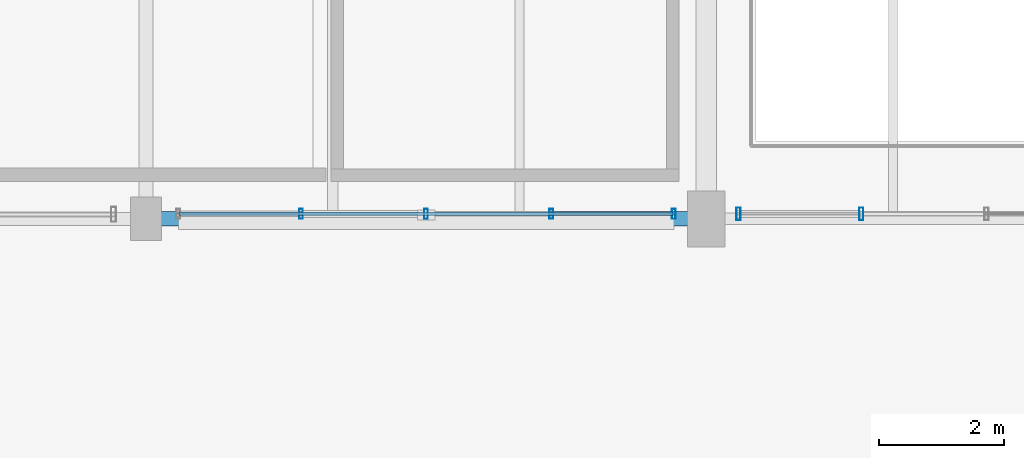
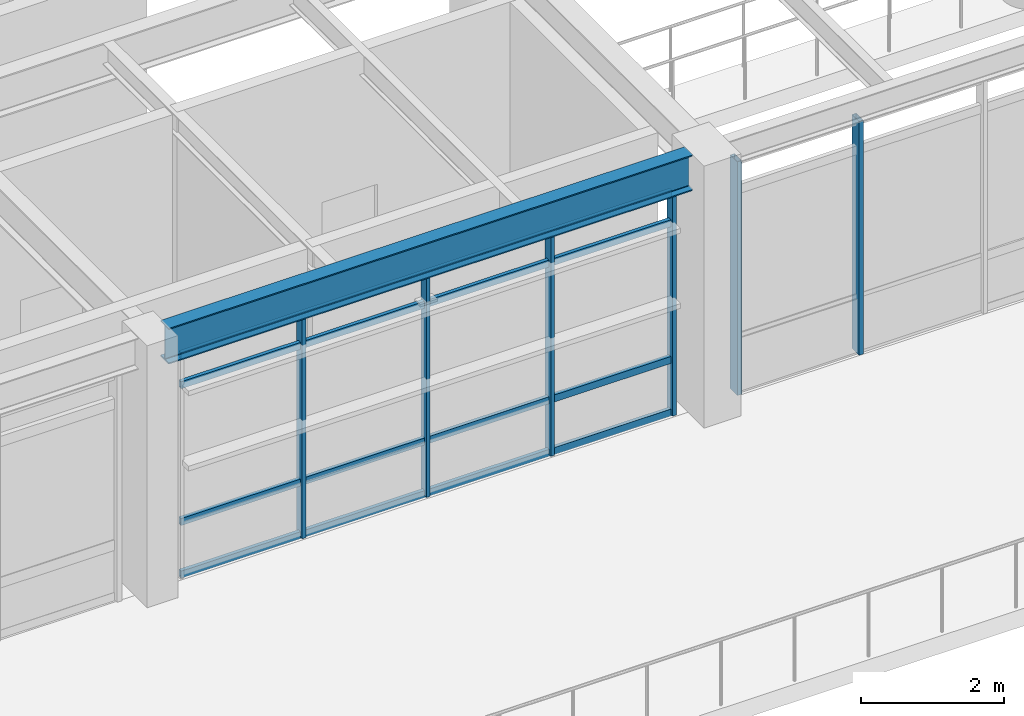
# One storey, part 43 of 200: 10 members, 1 beam, 2 elements without a shape of their own.
"""IFC4 building model written with IfcOpenShell, lengths in metres."""

from ifc_helpers import new_model, si_unit, direction, frame, origin, origin_2d, place, context, subcontext, project, spatial, hollow_rectangle, i_section, extrude, material, material_profile, profile_set, type_object, element, aggregate, save


model = new_model("IFC4")

# Units and contexts
model_context = context("Model", 3, precision=1e-05, world=origin(), true_north=direction((0.0, 1.0)))
body_context = subcontext(model_context, "Body", "Model", "MODEL_VIEW")
ifc_project = project(units=[si_unit("LENGTHUNIT", "METRE"), si_unit("AREAUNIT", "SQUARE_METRE"), si_unit("VOLUMEUNIT", "CUBIC_METRE"), si_unit("PLANEANGLEUNIT", "RADIAN"), si_unit("MASSUNIT", "GRAM", prefix="KILO"), si_unit("THERMODYNAMICTEMPERATUREUNIT", "KELVIN"), si_unit("POWERUNIT", "WATT")], contexts=[model_context])

# Site, building, storey
site_placement = place(None, origin())
site = spatial("IfcSite", under=ifc_project, at=site_placement, CompositionType="ELEMENT")
building_placement = place(site_placement, origin())
building = spatial("IfcBuilding", under=site, at=building_placement, Name="Tepalcoro Natatorium and Aquatics Centre", CompositionType="ELEMENT")
storey_placement = place(building_placement, frame((0.0, 0.0, 5.39990234375)))
storey = spatial("IfcBuildingStorey", under=building, at=storey_placement, Name="L01", CompositionType="ELEMENT", Elevation=5.39990234375)

# Curtain wall, members
ifc_material_1 = material(Name="Bronze-Anodised Extruded Aluminium Alloy EN AW-6063 T6", Category="aluminium")
curtain_wall_type_1 = type_object("IfcCurtainWallType", Name="CW_V4_VILLAGE", PredefinedType="USERDEFINED", material=ifc_material_1)
curtain_wall_1_placement = place(storey_placement, origin())
curtain_wall_1 = element("IfcCurtainWall", 1, at=curtain_wall_1_placement, inside=storey, type_object=curtain_wall_type_1, Name="V1 L01 S Unitised Curtain Wall Bay 3", ObjectType="UNITISED STOREFRONT", PredefinedType="USERDEFINED")
ifc_material_profile_1 = material_profile(ifc_material_1, hollow_rectangle(XDim=0.06005859375, YDim=0.159912109375, WallThickness=0.00390625, at=origin_2d()), Name="AL60X160X4")
ifc_profile_set_1 = profile_set([ifc_material_profile_1], Name="Bronze-Anodised Extruded Aluminium Alloy EN AW-6063 T6")
member_type_1 = type_object("IfcMemberType", Name="CW_MUL_60x160", PredefinedType="MULLION", material=ifc_profile_set_1)
member_1_placement = place(storey_placement, frame((64.489990234375, 6.580078125, 0.02001953125), z_axis=(0.0, 0.0, 1.0), x_axis=(1.0, 0.0, 0.0)))
member_1 = element("IfcMember", 2, at=member_1_placement, type_object=member_type_1, Name="CW_V4_VILLAGE Curtain Wall Mullion", PredefinedType="MULLION", context=body_context, shape_type="SweptSolid", body=[
    extrude(hollow_rectangle(XDim=0.06005859375, YDim=0.159912109375, WallThickness=0.00390625, at=origin_2d()), origin(), (0.0, 0.0, 1.0), 3.798095703125),
])
member_2_placement = place(storey_placement, frame((66.5, 6.580078125, 0.02001953125), z_axis=(0.0, 0.0, 1.0), x_axis=(1.0, 0.0, 0.0)))
member_2 = element("IfcMember", 3, at=member_2_placement, type_object=member_type_1, Name="CW_V4_VILLAGE Curtain Wall Mullion", PredefinedType="MULLION", context=body_context, shape_type="SweptSolid", body=[
    extrude(hollow_rectangle(XDim=0.06005859375, YDim=0.159912109375, WallThickness=0.00390625, at=origin_2d()), origin(), (0.0, 0.0, 1.0), 3.798095703125),
])
member_3_placement = place(storey_placement, frame((68.510009765625, 6.580078125, 0.02001953125), z_axis=(0.0, 0.0, 1.0), x_axis=(1.0, 0.0, 0.0)))
member_3 = element("IfcMember", 4, at=member_3_placement, type_object=member_type_1, Name="CW_V4_VILLAGE Curtain Wall Mullion", PredefinedType="MULLION", context=body_context, shape_type="SweptSolid", body=[
    extrude(hollow_rectangle(XDim=0.06005859375, YDim=0.159912109375, WallThickness=0.00390625, at=origin_2d()), origin(), (0.0, 0.0, 1.0), 3.798095703125),
])
member_4_placement = place(storey_placement, frame((70.47998046875, 6.580078125, 0.02001953125), z_axis=(0.0, 0.0, 1.0), x_axis=(1.0, 0.0, 0.0)))
member_4 = element("IfcMember", 5, at=member_4_placement, type_object=member_type_1, Name="CW_V4_VILLAGE Curtain Wall Mullion", PredefinedType="MULLION", context=body_context, shape_type="SweptSolid", body=[
    extrude(hollow_rectangle(XDim=0.06005859375, YDim=0.159912109375, WallThickness=0.00390625, at=origin_2d()), origin(), (0.0, 0.0, 1.0), 3.798095703125),
])

curtain_wall_type_2 = type_object("IfcCurtainWallType", Name="CW_V5_LOWER", PredefinedType="USERDEFINED", material=ifc_material_1)
curtain_wall_2_placement = place(storey_placement, origin())
curtain_wall_2 = element("IfcCurtainWall", 6, at=curtain_wall_2_placement, inside=storey, type_object=curtain_wall_type_2, Name="V1 L01 S Unitised Curtain Wall Bay 4", ObjectType="UNITISED STOREFRONT", PredefinedType="USERDEFINED")
ifc_material_profile_2 = material_profile(ifc_material_1, hollow_rectangle(XDim=0.070068359375, YDim=0.199951171875, WallThickness=0.0048828125, at=origin_2d()), Name="AL70X200X5")
ifc_profile_set_2 = profile_set([ifc_material_profile_2], Name="Bronze-Anodised Extruded Aluminium Alloy EN AW-6063 T6")
member_type_2 = type_object("IfcMemberType", Name="CW_MUL_70x200", PredefinedType="MULLION", material=ifc_profile_set_2)
member_5_placement = place(storey_placement, frame((71.52001953125, 6.580078125, 0.02001953125), z_axis=(0.0, 0.0, 1.0), x_axis=(1.0, 0.0, 0.0)))
member_5 = element("IfcMember", 7, at=member_5_placement, type_object=member_type_2, Name="CW_V5_LOWER Curtain Wall Mullion", PredefinedType="MULLION", context=body_context, shape_type="SweptSolid", body=[
    extrude(hollow_rectangle(XDim=0.070068359375, YDim=0.199951171875, WallThickness=0.0048828125, at=origin_2d()), origin(), (0.0, 0.0, 1.0), 3.9970703125),
])
member_6_placement = place(storey_placement, frame((73.489990234375, 6.580078125, 0.02001953125), z_axis=(0.0, 0.0, 1.0), x_axis=(1.0, 0.0, 0.0)))
member_6 = element("IfcMember", 8, at=member_6_placement, type_object=member_type_2, Name="CW_V5_LOWER Curtain Wall Mullion", PredefinedType="MULLION", context=body_context, shape_type="SweptSolid", body=[
    extrude(hollow_rectangle(XDim=0.070068359375, YDim=0.199951171875, WallThickness=0.0048828125, at=origin_2d()), origin(), (0.0, 0.0, 1.0), 3.9970703125),
])
aggregate(curtain_wall_2, [member_5, member_6])

# Member
ifc_material_profile_3 = material_profile(ifc_material_1, hollow_rectangle(XDim=0.06005859375, YDim=0.1201171875, WallThickness=0.00390625, at=origin_2d()), Name="AL60X120X4")
ifc_profile_set_3 = profile_set([ifc_material_profile_3], Name="Bronze-Anodised Extruded Aluminium Alloy EN AW-6063 T6")
member_type_3 = type_object("IfcMemberType", Name="CW_TRN_60x120", PredefinedType="USERDEFINED", material=ifc_profile_set_3)
member_7_placement = place(storey_placement, frame((62.530029296875, 6.580078125, 0.050048828125), z_axis=(1.0, 0.0, 0.0), x_axis=(0.0, 1.0, 0.0)))
member_7 = element("IfcMember", 9, at=member_7_placement, type_object=member_type_3, Name="CW_V4_VILLAGE Curtain Wall Transom", ObjectType="TRANSOM", PredefinedType="USERDEFINED", context=body_context, shape_type="SweptSolid", body=[
    extrude(hollow_rectangle(XDim=0.06005859375, YDim=0.1201171875, WallThickness=0.00390625, at=origin_2d()), origin(), (0.0, 0.0, 1.0), 7.93994140625),
])

member_8_placement = place(storey_placement, frame((62.530029296875, 6.580078125, 0.9501953125), z_axis=(1.0, 0.0, 0.0), x_axis=(0.0, 1.0, 0.0)))
member_8 = element("IfcMember", 10, at=member_8_placement, type_object=member_type_3, Name="CW_V4_VILLAGE Curtain Wall Transom", ObjectType="TRANSOM", PredefinedType="USERDEFINED", context=body_context, shape_type="SweptSolid", body=[
    extrude(hollow_rectangle(XDim=0.06005859375, YDim=0.1201171875, WallThickness=0.00390625, at=origin_2d()), origin(), (0.0, 0.0, 1.0), 7.93994140625),
])

member_9_placement = place(storey_placement, frame((62.530029296875, 6.580078125, 3.2880859375), z_axis=(1.0, 0.0, 0.0), x_axis=(0.0, 1.0, 0.0)))
member_9 = element("IfcMember", 11, at=member_9_placement, type_object=member_type_3, Name="CW_V4_VILLAGE Curtain Wall Transom", ObjectType="TRANSOM", PredefinedType="USERDEFINED", context=body_context, shape_type="SweptSolid", body=[
    extrude(hollow_rectangle(XDim=0.06005859375, YDim=0.1201171875, WallThickness=0.00390625, at=origin_2d()), origin(), (0.0, 0.0, 1.0), 7.93994140625),
])

member_10_placement = place(storey_placement, frame((62.530029296875, 6.580078125, 3.7880859375), z_axis=(1.0, 0.0, 0.0), x_axis=(0.0, 1.0, 0.0)))
member_10 = element("IfcMember", 12, at=member_10_placement, type_object=member_type_3, Name="CW_V4_VILLAGE Curtain Wall Transom", ObjectType="TRANSOM", PredefinedType="USERDEFINED", context=body_context, shape_type="SweptSolid", body=[
    extrude(hollow_rectangle(XDim=0.06005859375, YDim=0.1201171875, WallThickness=0.00390625, at=origin_2d()), origin(), (0.0, 0.0, 1.0), 7.93994140625),
])

aggregate(curtain_wall_1, [member_1, member_2, member_3, member_4, member_7, member_8, member_9, member_10])

# Beam
ifc_material_2 = material(Name="Steel ASTM A992 Grade 50 (Fy 345 MPa)", Category="steel")
ifc_material_profile_4 = material_profile(ifc_material_2, i_section(OverallWidth=0.22900390625, OverallDepth=0.612060546875, WebThickness=0.011962890625, FlangeThickness=0.02001953125, FilletRadius=0.013916015625, at=origin_2d()), Name="W24X84")
ifc_profile_set_4 = profile_set([ifc_material_profile_4], Name="Steel ASTM A992 Grade 50 (Fy 345 MPa)")
beam_type = type_object("IfcBeamType", Name="SP_W24x84", PredefinedType="SPANDREL", material=ifc_profile_set_4)
beam_placement = place(storey_placement, frame((62.235107421875, 6.5, 4.1591796875), z_axis=(1.0, 0.0, 0.0), x_axis=(0.0, 1.0, 0.0)))
element("IfcBeam", 13, at=beam_placement, inside=storey, type_object=beam_type, Name="V1 L01 Grid Girder X", PredefinedType="SPANDREL", context=body_context, shape_type="SweptSolid", body=[
    extrude(i_section(OverallWidth=0.22900390625, OverallDepth=0.612060546875, WebThickness=0.011962890625, FlangeThickness=0.02001953125, FilletRadius=0.013916015625, at=origin_2d()), origin(), (0.0, 0.0, 1.0), 8.47998046875),
])

save(model, "model.ifc")
